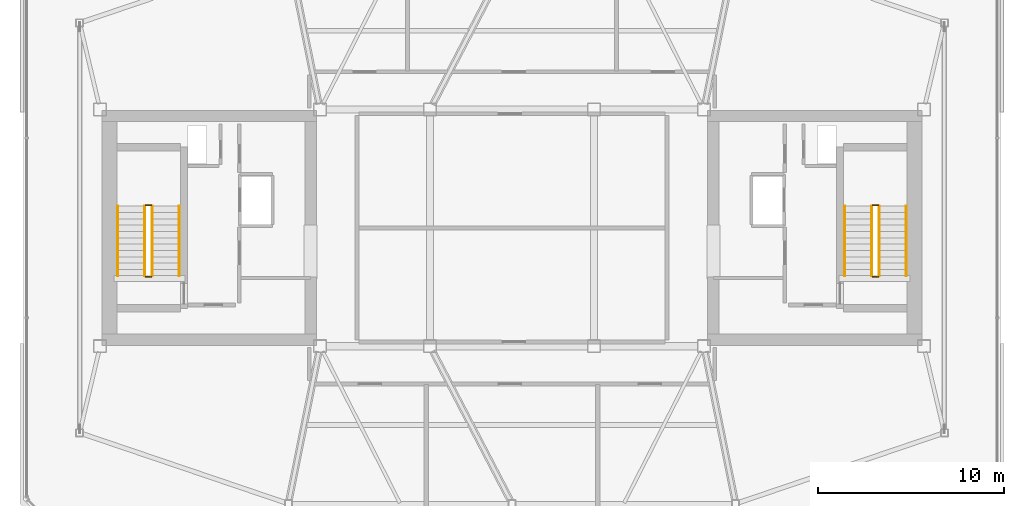
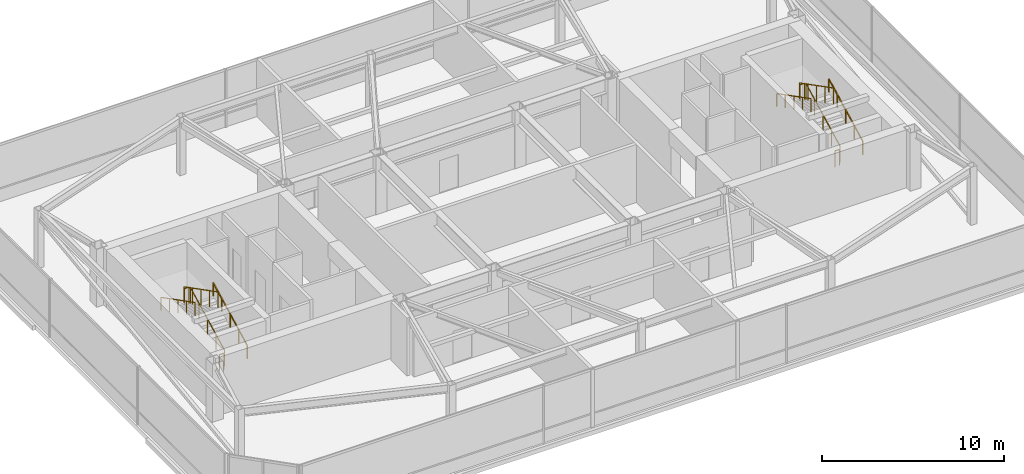
# One storey, part 22 of 22: 12 railings.
"""IFC4 building model written with IfcOpenShell, lengths in metres."""

from ifc_helpers import new_model, si_unit, direction, frame, origin, origin_2d, place, context, subcontext, project, spatial, rectangle, extrude, material, layer, layer_set, type_object, element, save


model = new_model("IFC4")

# Units and contexts
model_context = context("Model", 3, precision=1e-05, world=origin(), true_north=direction((0.0, 1.0)))
body_context = subcontext(model_context, "Body", "Model", "MODEL_VIEW")
ifc_project = project(units=[si_unit("LENGTHUNIT", "METRE"), si_unit("AREAUNIT", "SQUARE_METRE"), si_unit("VOLUMEUNIT", "CUBIC_METRE"), si_unit("PLANEANGLEUNIT", "RADIAN"), si_unit("MASSUNIT", "GRAM", prefix="KILO")], contexts=[model_context])

# Site, building, storey
site_placement = place(None, origin())
site = spatial("IfcSite", under=ifc_project, at=site_placement, CompositionType="ELEMENT")
building_placement = place(site_placement, origin())
building = spatial("IfcBuilding", under=site, at=building_placement, Name="Tavrogorsk Clinical Tower", CompositionType="ELEMENT")
storey_placement = place(building_placement, frame((0.0, 0.0, 352.800048828125)))
storey = spatial("IfcBuildingStorey", under=building, at=storey_placement, Name="L82", CompositionType="ELEMENT", Elevation=352.800048828125)

# Railings
ifc_material_1 = material(Name="Galvanised steel S355 safety stairwell guard", Category="steel")
ifc_layer_1 = layer(ifc_material_1, 0.06005859375)
ifc_layer_set_1 = layer_set([ifc_layer_1], Name="Galvanised steel S355 safety stairwell guard")
railing_type_1 = type_object("IfcRailingType", Name="StairGuard_1150", PredefinedType="GUARDRAIL", material=ifc_layer_set_1)
railing_1_placement = place(storey_placement, frame((-19.300048828125, -2.574951171875, 0.175048828125)))
element("IfcRailing", 1, at=railing_1_placement, inside=storey, type_object=railing_type_1, Name="L82 ST-W stair guard 1", PredefinedType="GUARDRAIL", context=body_context, shape_type="SweptSolid", body=[
    extrude(rectangle(XDim=0.048095703125, YDim=0.048095703125, at=origin_2d()), frame((0.0, 0.0, 1.076171875), z_axis=(0.0, 0.889154217769, 0.457607667138), x_axis=(-1.0, 0.0, 0.0)), (0.0, 0.0, 1.0), 4.206298828125),
    extrude(rectangle(XDim=0.0419921875, YDim=0.0419921875, at=origin_2d()), origin(), (0.0, 0.0, 1.0), 1.052001953125),
    extrude(rectangle(XDim=0.0419921875, YDim=0.0419921875, at=origin_2d()), frame((0.0, 0.93505859375, 0.481201171875)), (0.0, 0.0, 1.0), 1.052001953125),
    extrude(rectangle(XDim=0.0419921875, YDim=0.0419921875, at=origin_2d()), frame((0.0, 1.8701171875, 0.96240234375)), (0.0, 0.0, 1.0), 1.052001953125),
    extrude(rectangle(XDim=0.0419921875, YDim=0.0419921875, at=origin_2d()), frame((0.0, 2.804931640625, 1.443603515625)), (0.0, 0.0, 1.0), 1.052001953125),
    extrude(rectangle(XDim=0.0419921875, YDim=0.0419921875, at=origin_2d()), frame((0.0, 3.739990234375, 1.9248046875)), (0.0, 0.0, 1.0), 1.052001953125),
])
railing_2_placement = place(storey_placement, frame((-19.35009765625, 1.215087890625, 2.099853515625)))
element("IfcRailing", 2, at=railing_2_placement, inside=storey, type_object=railing_type_1, Name="L82 ST-W stair guard 2", PredefinedType="GUARDRAIL", context=body_context, shape_type="SweptSolid", body=[
    extrude(rectangle(XDim=0.048095703125, YDim=0.048095703125, at=origin_2d()), frame((0.0, 0.0, 1.076171875), z_axis=(-1.0, 0.0, 0.0), x_axis=(0.0, -1.0, 0.0)), (0.0, 0.0, 1.0), 0.2998046875),
    extrude(rectangle(XDim=0.0419921875, YDim=0.0419921875, at=origin_2d()), origin(), (0.0, 0.0, 1.0), 1.052001953125),
    extrude(rectangle(XDim=0.0419921875, YDim=0.0419921875, at=origin_2d()), frame((-0.2998046875, 0.0, 0.0)), (0.0, 0.0, 1.0), 1.052001953125),
])
railing_3_placement = place(storey_placement, frame((-19.699951171875, 1.1650390625, 2.27490234375)))
element("IfcRailing", 3, at=railing_3_placement, inside=storey, type_object=railing_type_1, Name="L82 ST-W stair guard 3", PredefinedType="GUARDRAIL", context=body_context, shape_type="SweptSolid", body=[
    extrude(rectangle(XDim=0.048095703125, YDim=0.048095703125, at=origin_2d()), frame((0.0, 0.0, 1.076171875), z_axis=(0.0, -0.889130600629, 0.457653553493), x_axis=(1.0, 0.0, 0.0)), (0.0, 0.0, 1.0), 4.206298828125),
    extrude(rectangle(XDim=0.0419921875, YDim=0.0419921875, at=origin_2d()), origin(), (0.0, 0.0, 1.0), 1.052001953125),
    extrude(rectangle(XDim=0.0419921875, YDim=0.0419921875, at=origin_2d()), frame((0.0, -0.93505859375, 0.481201171875)), (0.0, 0.0, 1.0), 1.052001953125),
    extrude(rectangle(XDim=0.0419921875, YDim=0.0419921875, at=origin_2d()), frame((0.0, -1.8701171875, 0.96240234375)), (0.0, 0.0, 1.0), 1.052001953125),
    extrude(rectangle(XDim=0.0419921875, YDim=0.0419921875, at=origin_2d()), frame((0.0, -2.804931640625, 1.44384765625)), (0.0, 0.0, 1.0), 1.052001953125),
    extrude(rectangle(XDim=0.0419921875, YDim=0.0419921875, at=origin_2d()), frame((0.0, -3.739990234375, 1.925048828125)), (0.0, 0.0, 1.0), 1.052001953125),
])
railing_4_placement = place(storey_placement, frame((-19.35009765625, -2.625, 0.0)))
element("IfcRailing", 4, at=railing_4_placement, inside=storey, type_object=railing_type_1, Name="L82 ST-W stair guard 4", PredefinedType="GUARDRAIL", context=body_context, shape_type="SweptSolid", body=[
    extrude(rectangle(XDim=0.048095703125, YDim=0.048095703125, at=origin_2d()), frame((0.0, 0.0, 1.076171875), z_axis=(-1.0, 0.0, 0.0), x_axis=(0.0, -1.0, 0.0)), (0.0, 0.0, 1.0), 0.2998046875),
    extrude(rectangle(XDim=0.0419921875, YDim=0.0419921875, at=origin_2d()), origin(), (0.0, 0.0, 1.0), 1.052001953125),
    extrude(rectangle(XDim=0.0419921875, YDim=0.0419921875, at=origin_2d()), frame((-0.2998046875, 0.0, 0.0)), (0.0, 0.0, 1.0), 1.052001953125),
])
railing_5_placement = place(storey_placement, frame((19.699951171875, -2.574951171875, 0.175048828125)))
element("IfcRailing", 5, at=railing_5_placement, inside=storey, type_object=railing_type_1, Name="L82 ST-E stair guard 1", PredefinedType="GUARDRAIL", context=body_context, shape_type="SweptSolid", body=[
    extrude(rectangle(XDim=0.048095703125, YDim=0.048095703125, at=origin_2d()), frame((0.0, 0.0, 1.076171875), z_axis=(0.0, 0.889154217769, 0.457607667138), x_axis=(-1.0, 0.0, 0.0)), (0.0, 0.0, 1.0), 4.206298828125),
    extrude(rectangle(XDim=0.0419921875, YDim=0.0419921875, at=origin_2d()), origin(), (0.0, 0.0, 1.0), 1.052001953125),
    extrude(rectangle(XDim=0.0419921875, YDim=0.0419921875, at=origin_2d()), frame((0.0, 0.93505859375, 0.481201171875)), (0.0, 0.0, 1.0), 1.052001953125),
    extrude(rectangle(XDim=0.0419921875, YDim=0.0419921875, at=origin_2d()), frame((0.0, 1.8701171875, 0.96240234375)), (0.0, 0.0, 1.0), 1.052001953125),
    extrude(rectangle(XDim=0.0419921875, YDim=0.0419921875, at=origin_2d()), frame((0.0, 2.804931640625, 1.443603515625)), (0.0, 0.0, 1.0), 1.052001953125),
    extrude(rectangle(XDim=0.0419921875, YDim=0.0419921875, at=origin_2d()), frame((0.0, 3.739990234375, 1.9248046875)), (0.0, 0.0, 1.0), 1.052001953125),
])
railing_6_placement = place(storey_placement, frame((19.64990234375, 1.215087890625, 2.099853515625)))
element("IfcRailing", 6, at=railing_6_placement, inside=storey, type_object=railing_type_1, Name="L82 ST-E stair guard 2", PredefinedType="GUARDRAIL", context=body_context, shape_type="SweptSolid", body=[
    extrude(rectangle(XDim=0.048095703125, YDim=0.048095703125, at=origin_2d()), frame((0.0, 0.0, 1.076171875), z_axis=(-1.0, 0.0, 0.0), x_axis=(0.0, -1.0, 0.0)), (0.0, 0.0, 1.0), 0.2998046875),
    extrude(rectangle(XDim=0.0419921875, YDim=0.0419921875, at=origin_2d()), origin(), (0.0, 0.0, 1.0), 1.052001953125),
    extrude(rectangle(XDim=0.0419921875, YDim=0.0419921875, at=origin_2d()), frame((-0.2998046875, 0.0, 0.0)), (0.0, 0.0, 1.0), 1.052001953125),
])
railing_7_placement = place(storey_placement, frame((19.300048828125, 1.1650390625, 2.27490234375)))
element("IfcRailing", 7, at=railing_7_placement, inside=storey, type_object=railing_type_1, Name="L82 ST-E stair guard 3", PredefinedType="GUARDRAIL", context=body_context, shape_type="SweptSolid", body=[
    extrude(rectangle(XDim=0.048095703125, YDim=0.048095703125, at=origin_2d()), frame((0.0, 0.0, 1.076171875), z_axis=(0.0, -0.889130600629, 0.457653553493), x_axis=(1.0, 0.0, 0.0)), (0.0, 0.0, 1.0), 4.206298828125),
    extrude(rectangle(XDim=0.0419921875, YDim=0.0419921875, at=origin_2d()), origin(), (0.0, 0.0, 1.0), 1.052001953125),
    extrude(rectangle(XDim=0.0419921875, YDim=0.0419921875, at=origin_2d()), frame((0.0, -0.93505859375, 0.481201171875)), (0.0, 0.0, 1.0), 1.052001953125),
    extrude(rectangle(XDim=0.0419921875, YDim=0.0419921875, at=origin_2d()), frame((0.0, -1.8701171875, 0.96240234375)), (0.0, 0.0, 1.0), 1.052001953125),
    extrude(rectangle(XDim=0.0419921875, YDim=0.0419921875, at=origin_2d()), frame((0.0, -2.804931640625, 1.44384765625)), (0.0, 0.0, 1.0), 1.052001953125),
    extrude(rectangle(XDim=0.0419921875, YDim=0.0419921875, at=origin_2d()), frame((0.0, -3.739990234375, 1.925048828125)), (0.0, 0.0, 1.0), 1.052001953125),
])
railing_8_placement = place(storey_placement, frame((19.64990234375, -2.625, 0.0)))
element("IfcRailing", 8, at=railing_8_placement, inside=storey, type_object=railing_type_1, Name="L82 ST-E stair guard 4", PredefinedType="GUARDRAIL", context=body_context, shape_type="SweptSolid", body=[
    extrude(rectangle(XDim=0.048095703125, YDim=0.048095703125, at=origin_2d()), frame((0.0, 0.0, 1.076171875), z_axis=(-1.0, 0.0, 0.0), x_axis=(0.0, -1.0, 0.0)), (0.0, 0.0, 1.0), 0.2998046875),
    extrude(rectangle(XDim=0.0419921875, YDim=0.0419921875, at=origin_2d()), origin(), (0.0, 0.0, 1.0), 1.052001953125),
    extrude(rectangle(XDim=0.0419921875, YDim=0.0419921875, at=origin_2d()), frame((-0.2998046875, 0.0, 0.0)), (0.0, 0.0, 1.0), 1.052001953125),
])
ifc_material_2 = material(Name="Stainless steel AISI 304 tubular handrail", Category="steel")
ifc_layer_2 = layer(ifc_material_2, 0.050048828125)
ifc_layer_set_2 = layer_set([ifc_layer_2], Name="Stainless steel AISI 304 tubular handrail")
railing_type_2 = type_object("IfcRailingType", Name="StairHandrail_920", PredefinedType="HANDRAIL", material=ifc_layer_set_2)
railing_9_placement = place(storey_placement, frame((-17.85009765625, -2.574951171875, 0.175048828125)))
element("IfcRailing", 9, at=railing_9_placement, inside=storey, type_object=railing_type_2, Name="L82 ST-W stair handrail 1", PredefinedType="HANDRAIL", context=body_context, shape_type="SweptSolid", body=[
    extrude(rectangle(XDim=0.048095703125, YDim=0.048095703125, at=origin_2d()), frame((0.0, 0.0, 0.8759765625), z_axis=(0.0, 0.889154217769, 0.457607667138), x_axis=(-1.0, 0.0, 0.0)), (0.0, 0.0, 1.0), 4.206298828125),
    extrude(rectangle(XDim=0.0419921875, YDim=0.0419921875, at=origin_2d()), origin(), (0.0, 0.0, 1.0), 0.851806640625),
    extrude(rectangle(XDim=0.0419921875, YDim=0.0419921875, at=origin_2d()), frame((0.0, 0.93505859375, 0.481201171875)), (0.0, 0.0, 1.0), 0.851806640625),
    extrude(rectangle(XDim=0.0419921875, YDim=0.0419921875, at=origin_2d()), frame((0.0, 1.8701171875, 0.96240234375)), (0.0, 0.0, 1.0), 0.851806640625),
    extrude(rectangle(XDim=0.0419921875, YDim=0.0419921875, at=origin_2d()), frame((0.0, 2.804931640625, 1.443603515625)), (0.0, 0.0, 1.0), 0.851806640625),
    extrude(rectangle(XDim=0.0419921875, YDim=0.0419921875, at=origin_2d()), frame((0.0, 3.739990234375, 1.9248046875)), (0.0, 0.0, 1.0), 0.851806640625),
])
railing_10_placement = place(storey_placement, frame((-21.14990234375, 1.1650390625, 2.27490234375)))
element("IfcRailing", 10, at=railing_10_placement, inside=storey, type_object=railing_type_2, Name="L82 ST-W stair handrail 2", PredefinedType="HANDRAIL", context=body_context, shape_type="SweptSolid", body=[
    extrude(rectangle(XDim=0.048095703125, YDim=0.048095703125, at=origin_2d()), frame((0.0, 0.0, 0.8759765625), z_axis=(0.0, -0.889130600629, 0.457653553493), x_axis=(1.0, 0.0, 0.0)), (0.0, 0.0, 1.0), 4.206298828125),
    extrude(rectangle(XDim=0.0419921875, YDim=0.0419921875, at=origin_2d()), origin(), (0.0, 0.0, 1.0), 0.851806640625),
    extrude(rectangle(XDim=0.0419921875, YDim=0.0419921875, at=origin_2d()), frame((0.0, -0.93505859375, 0.481201171875)), (0.0, 0.0, 1.0), 0.851806640625),
    extrude(rectangle(XDim=0.0419921875, YDim=0.0419921875, at=origin_2d()), frame((0.0, -1.8701171875, 0.96240234375)), (0.0, 0.0, 1.0), 0.851806640625),
    extrude(rectangle(XDim=0.0419921875, YDim=0.0419921875, at=origin_2d()), frame((0.0, -2.804931640625, 1.44384765625)), (0.0, 0.0, 1.0), 0.851806640625),
    extrude(rectangle(XDim=0.0419921875, YDim=0.0419921875, at=origin_2d()), frame((0.0, -3.739990234375, 1.925048828125)), (0.0, 0.0, 1.0), 0.851806640625),
])
railing_11_placement = place(storey_placement, frame((21.14990234375, -2.574951171875, 0.175048828125)))
element("IfcRailing", 11, at=railing_11_placement, inside=storey, type_object=railing_type_2, Name="L82 ST-E stair handrail 1", PredefinedType="HANDRAIL", context=body_context, shape_type="SweptSolid", body=[
    extrude(rectangle(XDim=0.048095703125, YDim=0.048095703125, at=origin_2d()), frame((0.0, 0.0, 0.8759765625), z_axis=(0.0, 0.889154217769, 0.457607667138), x_axis=(-1.0, 0.0, 0.0)), (0.0, 0.0, 1.0), 4.206298828125),
    extrude(rectangle(XDim=0.0419921875, YDim=0.0419921875, at=origin_2d()), origin(), (0.0, 0.0, 1.0), 0.851806640625),
    extrude(rectangle(XDim=0.0419921875, YDim=0.0419921875, at=origin_2d()), frame((0.0, 0.93505859375, 0.481201171875)), (0.0, 0.0, 1.0), 0.851806640625),
    extrude(rectangle(XDim=0.0419921875, YDim=0.0419921875, at=origin_2d()), frame((0.0, 1.8701171875, 0.96240234375)), (0.0, 0.0, 1.0), 0.851806640625),
    extrude(rectangle(XDim=0.0419921875, YDim=0.0419921875, at=origin_2d()), frame((0.0, 2.804931640625, 1.443603515625)), (0.0, 0.0, 1.0), 0.851806640625),
    extrude(rectangle(XDim=0.0419921875, YDim=0.0419921875, at=origin_2d()), frame((0.0, 3.739990234375, 1.9248046875)), (0.0, 0.0, 1.0), 0.851806640625),
])
railing_12_placement = place(storey_placement, frame((17.85009765625, 1.1650390625, 2.27490234375)))
element("IfcRailing", 12, at=railing_12_placement, inside=storey, type_object=railing_type_2, Name="L82 ST-E stair handrail 2", PredefinedType="HANDRAIL", context=body_context, shape_type="SweptSolid", body=[
    extrude(rectangle(XDim=0.048095703125, YDim=0.048095703125, at=origin_2d()), frame((0.0, 0.0, 0.8759765625), z_axis=(0.0, -0.889130600629, 0.457653553493), x_axis=(1.0, 0.0, 0.0)), (0.0, 0.0, 1.0), 4.206298828125),
    extrude(rectangle(XDim=0.0419921875, YDim=0.0419921875, at=origin_2d()), origin(), (0.0, 0.0, 1.0), 0.851806640625),
    extrude(rectangle(XDim=0.0419921875, YDim=0.0419921875, at=origin_2d()), frame((0.0, -0.93505859375, 0.481201171875)), (0.0, 0.0, 1.0), 0.851806640625),
    extrude(rectangle(XDim=0.0419921875, YDim=0.0419921875, at=origin_2d()), frame((0.0, -1.8701171875, 0.96240234375)), (0.0, 0.0, 1.0), 0.851806640625),
    extrude(rectangle(XDim=0.0419921875, YDim=0.0419921875, at=origin_2d()), frame((0.0, -2.804931640625, 1.44384765625)), (0.0, 0.0, 1.0), 0.851806640625),
    extrude(rectangle(XDim=0.0419921875, YDim=0.0419921875, at=origin_2d()), frame((0.0, -3.739990234375, 1.925048828125)), (0.0, 0.0, 1.0), 0.851806640625),
])

save(model, "model.ifc")
